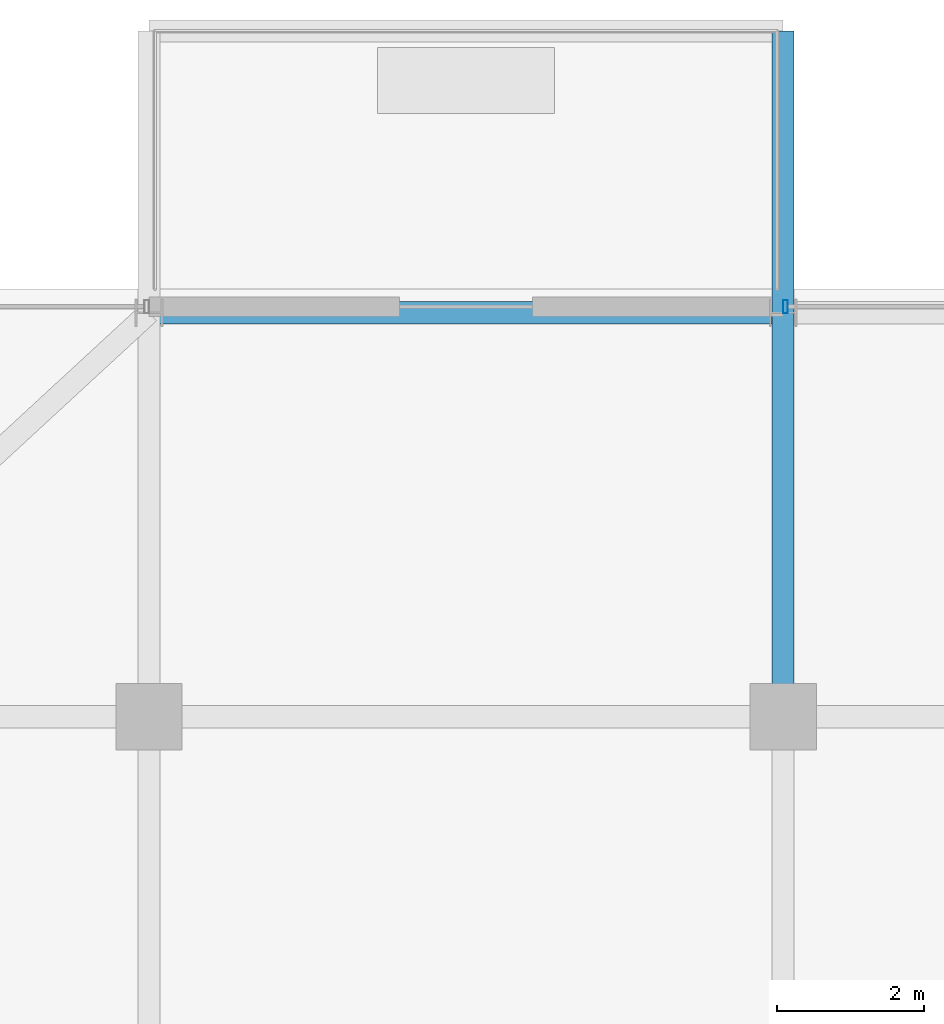
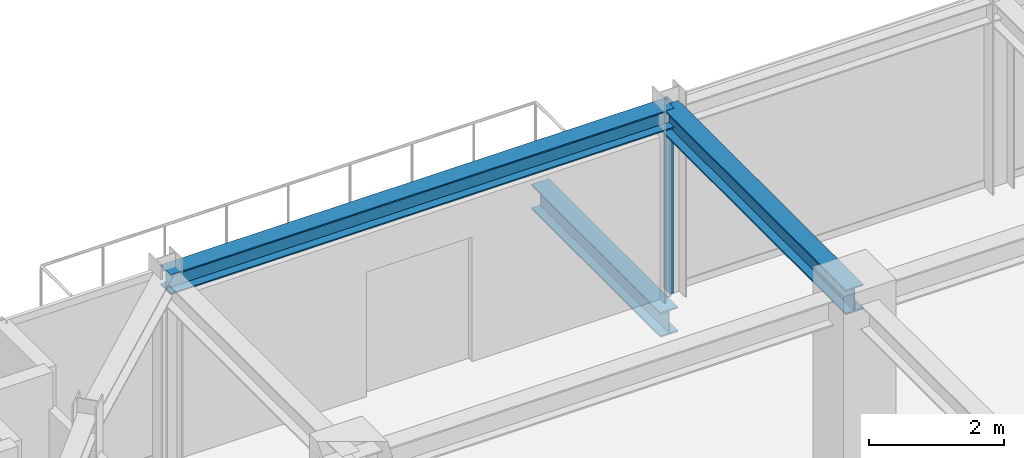
# One storey, part 18 of 31: 3 beams, 1 member, 1 element without a shape of its own.
"""IFC4 building model written with IfcOpenShell, lengths in metres."""

from ifc_helpers import new_model, si_unit, direction, frame, origin, origin_2d, place, context, subcontext, project, spatial, hollow_rectangle, i_section, extrude, source, transform, mapped, material, material_profile, profile_set, type_object, element, aggregate, save


model = new_model("IFC4")

# Units and contexts
model_context = context("Model", 3, precision=1e-05, world=origin(), true_north=direction((0.0, 1.0)))
body_context = subcontext(model_context, "Body", "Model", "MODEL_VIEW")
ifc_project = project(units=[si_unit("LENGTHUNIT", "METRE"), si_unit("AREAUNIT", "SQUARE_METRE"), si_unit("VOLUMEUNIT", "CUBIC_METRE"), si_unit("PLANEANGLEUNIT", "RADIAN"), si_unit("MASSUNIT", "GRAM", prefix="KILO")], contexts=[model_context])

# Site, building, storey
site_placement = place(None, origin())
site = spatial("IfcSite", under=ifc_project, at=site_placement, CompositionType="ELEMENT")
building_placement = place(site_placement, origin())
building = spatial("IfcBuilding", under=site, at=building_placement, Name="Nahalor Promenade Grand Hotel", CompositionType="ELEMENT")
storey_placement = place(building_placement, frame((0.0, 0.0, 281.300048828125)))
storey = spatial("IfcBuildingStorey", under=building, at=storey_placement, Name="L72", CompositionType="ELEMENT", Elevation=281.300048828125)

# Beams
ifc_material_1 = material(Name="Steel S355JR", Category="steel")
ifc_material_profile_1 = material_profile(ifc_material_1, i_section(OverallWidth=0.3, OverallDepth=0.45, WebThickness=0.014, FlangeThickness=0.026, at=origin_2d()), Name="HEB 450")
ifc_profile_set_1 = profile_set([ifc_material_profile_1], Name="Steel S355JR")
beam_type_1 = type_object("IfcBeamType", Name="Beam-Outrigger-HEB450", PredefinedType="BEAM", material=ifc_profile_set_1)
shared_shape_1 = source(origin(), body_context, "Body", "SweptSolid", [
    extrude(i_section(OverallWidth=0.3, OverallDepth=0.45, WebThickness=0.014, FlangeThickness=0.026, at=origin_2d()), origin(), (0.0, 0.0, 1.0), 3.820068359375),
])
beam_1_placement = place(storey_placement, frame((-8.39990234375, 22.47998046875, -0.505126953125), z_axis=(0.0, 1.0, 0.0), x_axis=(-1.0, 0.0, 0.0)))
element("IfcBeam", 1, at=beam_1_placement, inside=storey, type_object=beam_type_1, Name="BM-L72-BC-01-2", PredefinedType="BEAM", context=body_context, shape_type="MappedRepresentation", body=[
    mapped(shared_shape_1, transform((0.0, 0.0, 0.0), scale=1.0)),
])
ifc_material_profile_2 = material_profile(ifc_material_1, i_section(OverallWidth=0.3, OverallDepth=0.45, WebThickness=0.014, FlangeThickness=0.026, at=origin_2d()), Name="HEB 450")
ifc_profile_set_2 = profile_set([ifc_material_profile_2], Name="Steel S355JR")
beam_type_2 = type_object("IfcBeamType", Name="Beam-Girder-HEB450", PredefinedType="BEAM", material=ifc_profile_set_2)
shared_shape_2 = source(origin(), body_context, "Body", "SweptSolid", [
    extrude(i_section(OverallWidth=0.3, OverallDepth=0.45, WebThickness=0.014, FlangeThickness=0.026, at=origin_2d()), origin(), (0.0, 0.0, 1.0), 5.47998046875),
])
beam_2_placement = place(storey_placement, frame((-8.39990234375, 17.0, 3.224853515625), z_axis=(0.0, 1.0, 0.0), x_axis=(-1.0, 0.0, 0.0)))
element("IfcBeam", 2, at=beam_2_placement, inside=storey, type_object=beam_type_2, Name="BM-L72-GY-1-4", PredefinedType="BEAM", context=body_context, shape_type="MappedRepresentation", body=[
    mapped(shared_shape_2, transform((0.0, 0.0, 0.0), scale=1.0)),
])
ifc_material_profile_3 = material_profile(ifc_material_1, i_section(OverallWidth=0.3, OverallDepth=0.36, WebThickness=0.0125, FlangeThickness=0.0225, at=origin_2d()), Name="HEB 360")
ifc_profile_set_3 = profile_set([ifc_material_profile_3], Name="Steel S355JR")
beam_type_3 = type_object("IfcBeamType", Name="Beam-Spandrel-HEB360", PredefinedType="SPANDREL", material=ifc_profile_set_3)
shared_shape_3 = source(origin(), body_context, "Body", "SweptSolid", [
    extrude(i_section(OverallWidth=0.3, OverallDepth=0.36, WebThickness=0.0125, FlangeThickness=0.0225, at=origin_2d()), origin(), (0.0, 0.0, 1.0), 8.60009765625),
])
beam_3_placement = place(storey_placement, frame((-17.0, 22.47998046875, 3.27001953125), z_axis=(1.0, 0.0, 0.0), x_axis=(0.0, 1.0, 0.0)))
element("IfcBeam", 3, at=beam_3_placement, inside=storey, type_object=beam_type_3, Name="BM-L72-SP-N-0", PredefinedType="SPANDREL", context=body_context, shape_type="MappedRepresentation", body=[
    mapped(shared_shape_3, transform((0.0, 0.0, 0.0), scale=1.0)),
])

# Curtain wall, member
ifc_material_2 = material(Name="Anodised Bronze Aluminium EN AW-6063 T6", Category="aluminium")
curtain_wall_type = type_object("IfcCurtainWallType", Name="CW2 Typical Hotel Flush Bronze Unitised Curtain Wall", PredefinedType="USERDEFINED", material=ifc_material_2)
curtain_wall_placement = place(storey_placement, origin())
curtain_wall = element("IfcCurtainWall", 4, at=curtain_wall_placement, inside=storey, type_object=curtain_wall_type, Name="L72 Curtain Wall CW-L72-N-3", ObjectType="UNITISED_CURTAIN_WALL", PredefinedType="USERDEFINED")
ifc_material_profile_4 = material_profile(ifc_material_2, hollow_rectangle(XDim=0.065, YDim=0.18, WallThickness=0.004, at=origin_2d()), Name="CWM 65x180x4")
ifc_profile_set_4 = profile_set([ifc_material_profile_4], Name="Anodised Bronze Aluminium EN AW-6063 T6")
member_type = type_object("IfcMemberType", Name="CWM2 Typical Bronze Mullion 65x180", PredefinedType="MULLION", material=ifc_profile_set_4)
shared_shape_4 = source(origin(), body_context, "Body", "SweptSolid", [
    extrude(hollow_rectangle(XDim=0.065, YDim=0.18, WallThickness=0.004, at=origin_2d()), origin(), (0.0, 0.0, 1.0), 3.449951171875),
])
member_placement = place(storey_placement, frame((-8.367431640625, 22.56005859375, 0.0), z_axis=(0.0, 0.0, 1.0), x_axis=(1.0, 0.0, 0.0)))
member = element("IfcMember", 5, at=member_placement, type_object=member_type, Name="CW-L72-N-3 Mullion 0", PredefinedType="MULLION", context=body_context, shape_type="MappedRepresentation", body=[
    mapped(shared_shape_4, transform((0.0, 0.0, 0.0), scale=1.0)),
])
aggregate(curtain_wall, [member])

save(model, "model.ifc")
